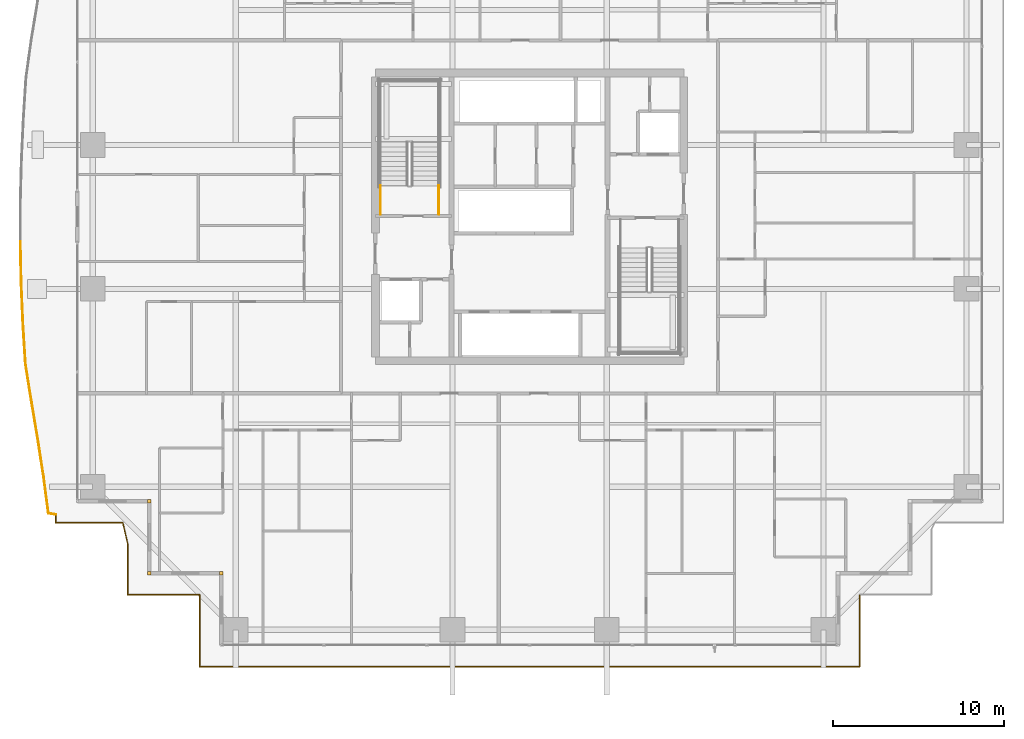
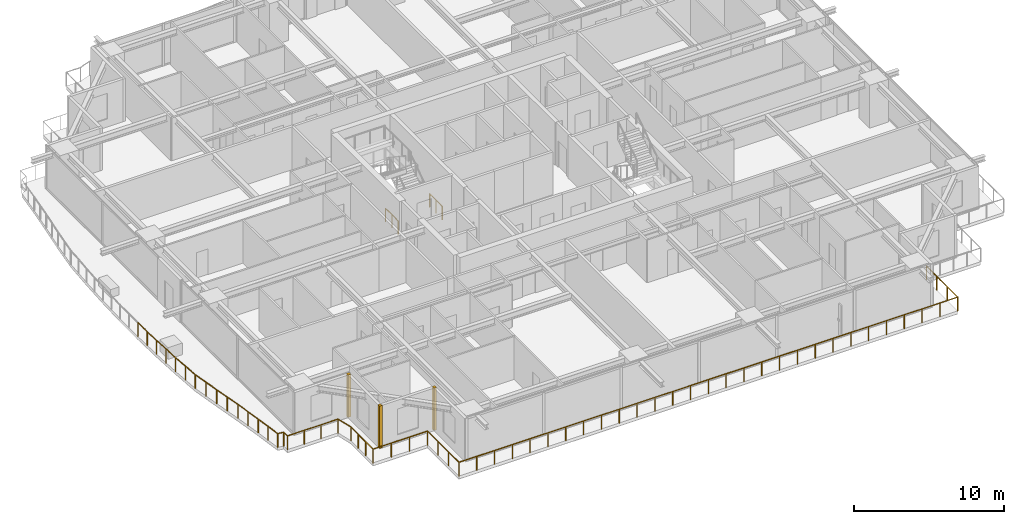
# One storey, part 31 of 36: 4 railings, 3 coverings.
"""IFC4 building model written with IfcOpenShell, lengths in metres."""

from ifc_helpers import new_model, si_unit, direction, frame, origin, origin_2d, place, context, subcontext, project, spatial, rectangle, circle, extrude, source, transform, mapped, material, layer, layer_set, type_object, element, save


model = new_model("IFC4")

# Units and contexts
model_context = context("Model", 3, precision=1e-05, world=origin(), true_north=direction((0.0, 1.0)))
body_context = subcontext(model_context, "Body", "Model", "MODEL_VIEW")
ifc_project = project(units=[si_unit("LENGTHUNIT", "METRE"), si_unit("AREAUNIT", "SQUARE_METRE"), si_unit("VOLUMEUNIT", "CUBIC_METRE"), si_unit("PLANEANGLEUNIT", "RADIAN"), si_unit("MASSUNIT", "GRAM", prefix="KILO")], contexts=[model_context])

# Site, building, storey
site_placement = place(None, origin())
site = spatial("IfcSite", under=ifc_project, at=site_placement, CompositionType="ELEMENT")
building_placement = place(site_placement, origin())
building = spatial("IfcBuilding", under=site, at=building_placement, Name="Serunith Strait Residences", CompositionType="ELEMENT")
storey_placement = place(building_placement, frame((0.0, 0.0, 41.699951171875)))
storey = spatial("IfcBuildingStorey", under=building, at=storey_placement, Name="L09", CompositionType="ELEMENT", Elevation=41.699951171875)

# Railings
ifc_material_1 = material(Name="Stainless Steel & Laminated Glass Balustrade", Category="steel")
railing_type_1 = type_object("IfcRailingType", Name="RLG-BALC-1150", PredefinedType="BALUSTRADE", material=ifc_material_1)
railing_1_placement = place(storey_placement, frame((4.739990234375, 7.829833984375, -0.050048828125)))
element("IfcRailing", 1, at=railing_1_placement, inside=storey, type_object=railing_type_1, Name="L09 Swirling Balcony Perimeter Balustrade 1", PredefinedType="BALUSTRADE", context=body_context, shape_type="SweptSolid", body=[
    extrude(circle(Radius=0.02392578125, at=origin_2d()), frame((-0.001953125, 0.000244140625, 1.1259765625), z_axis=(-0.987454908219, 0.15790124836, 0.0), x_axis=(-0.15790124836, -0.987454908219, 0.0)), (0.0, 0.0, 1.0), 0.4228515625),
    extrude(circle(Radius=0.02392578125, at=origin_2d()), frame((-0.421630859375, 0.0693359375, 1.1259765625), z_axis=(-0.130681049278, 0.991424461752, 0.0), x_axis=(-0.991424461752, -0.130681049278, 0.0)), (0.0, 0.0, 1.0), 2.142578125),
    extrude(circle(Radius=0.02392578125, at=origin_2d()), frame((-0.7021484375, 2.197509765625, 1.1259765625), z_axis=(-0.151686220138, 0.988428697793, 0.0), x_axis=(-0.988428697793, -0.151686220138, 0.0)), (0.0, 0.0, 1.0), 2.172119140625),
    extrude(circle(Radius=0.02392578125, at=origin_2d()), frame((-1.0322265625, 4.348388671875, 1.1259765625), z_axis=(-0.165414826674, 0.986224079566, 0.0), x_axis=(-0.986224079566, -0.165414826674, 0.0)), (0.0, 0.0, 1.0), 2.21728515625),
    extrude(circle(Radius=0.02392578125, at=origin_2d()), frame((-1.399658203125, 6.5390625, 1.1259765625), z_axis=(-0.15832031271, 0.987387805568, 0.0), x_axis=(-0.987387805568, -0.15832031271, 0.0)), (0.0, 0.0, 1.0), 2.276611328125),
    extrude(circle(Radius=0.02392578125, at=origin_2d()), frame((-1.7607421875, 8.791015625, 1.1259765625), z_axis=(-0.06215935841, 0.998066237362, 0.0), x_axis=(-0.998066237362, -0.06215935841, 0.0)), (0.0, 0.0, 1.0), 2.3564453125),
    extrude(circle(Radius=0.02392578125, at=origin_2d()), frame((-1.9072265625, 11.14697265625, 1.1259765625), z_axis=(-0.042847001993, 0.999081645523, 0.0), x_axis=(-0.999081645523, -0.042847001993, 0.0)), (0.0, 0.0, 1.0), 2.383544921875),
    extrude(circle(Radius=0.02392578125, at=origin_2d()), frame((-2.009521484375, 13.5322265625, 1.1259765625), z_axis=(-0.020403914663, 0.999791818463, 0.0), x_axis=(-0.999791818463, -0.020403914663, 0.0)), (0.0, 0.0, 1.0), 2.401123046875),
    extrude(circle(Radius=0.02099609375, at=origin_2d()), origin(), (0.0, 0.0, 1.0), 1.099853515625),
    extrude(circle(Radius=0.02099609375, at=origin_2d()), frame((-0.42138671875, 0.0673828125, 0.0)), (0.0, 0.0, 1.0), 1.099853515625),
    extrude(circle(Radius=0.02099609375, at=origin_2d()), frame((-0.5615234375, 1.13134765625, 0.0)), (0.0, 0.0, 1.0), 1.099853515625),
    extrude(circle(Radius=0.02099609375, at=origin_2d()), frame((-0.701904296875, 2.195556640625, 0.0)), (0.0, 0.0, 1.0), 1.099853515625),
    extrude(circle(Radius=0.02099609375, at=origin_2d()), frame((-0.866943359375, 3.27099609375, 0.0)), (0.0, 0.0, 1.0), 1.099853515625),
    extrude(circle(Radius=0.02099609375, at=origin_2d()), frame((-1.031982421875, 4.346435546875, 0.0)), (0.0, 0.0, 1.0), 1.099853515625),
    extrude(circle(Radius=0.02099609375, at=origin_2d()), frame((-1.2158203125, 5.44189453125, 0.0)), (0.0, 0.0, 1.0), 1.099853515625),
    extrude(circle(Radius=0.02099609375, at=origin_2d()), frame((-1.3994140625, 6.537109375, 0.0)), (0.0, 0.0, 1.0), 1.099853515625),
    extrude(circle(Radius=0.02099609375, at=origin_2d()), frame((-1.580078125, 7.6630859375, 0.0)), (0.0, 0.0, 1.0), 1.099853515625),
    extrude(circle(Radius=0.02099609375, at=origin_2d()), frame((-1.760498046875, 8.7890625, 0.0)), (0.0, 0.0, 1.0), 1.099853515625),
    extrude(circle(Radius=0.02099609375, at=origin_2d()), frame((-1.833984375, 9.967041015625, 0.0)), (0.0, 0.0, 1.0), 1.099853515625),
    extrude(circle(Radius=0.02099609375, at=origin_2d()), frame((-1.9072265625, 11.14501953125, 0.0)), (0.0, 0.0, 1.0), 1.099853515625),
    extrude(circle(Radius=0.02099609375, at=origin_2d()), frame((-1.95849609375, 12.337646484375, 0.0)), (0.0, 0.0, 1.0), 1.099853515625),
    extrude(circle(Radius=0.02099609375, at=origin_2d()), frame((-2.009521484375, 13.5302734375, 0.0)), (0.0, 0.0, 1.0), 1.099853515625),
    extrude(circle(Radius=0.02099609375, at=origin_2d()), frame((-2.0341796875, 14.732421875, 0.0)), (0.0, 0.0, 1.0), 1.099853515625),
    extrude(circle(Radius=0.02099609375, at=origin_2d()), frame((-2.05859375, 15.934814453125, 0.0)), (0.0, 0.0, 1.0), 1.099853515625),
])
railing_2_placement = place(storey_placement, frame((51.659912109375, 3.139892578125, -0.050048828125)))
element("IfcRailing", 2, at=railing_2_placement, inside=storey, type_object=railing_type_1, Name="L09 Swirling Balcony Perimeter Balustrade 8", PredefinedType="BALUSTRADE", context=body_context, shape_type="SweptSolid", body=[
    extrude(circle(Radius=0.02392578125, at=origin_2d()), frame((0.0, -0.001953125, 1.1259765625), z_axis=(0.0, -1.0, 0.0), x_axis=(1.0, 0.0, 0.0)), (0.0, 0.0, 1.0), 4.196044921875),
    extrude(circle(Radius=0.02392578125, at=origin_2d()), frame((-0.001953125, -4.199951171875, 1.1259765625), z_axis=(-1.0, 0.0, 0.0), x_axis=(0.0, -1.0, 0.0)), (0.0, 0.0, 1.0), 38.51611328125),
    extrude(circle(Radius=0.02392578125, at=origin_2d()), frame((-38.52001953125, -4.197998046875, 1.1259765625), z_axis=(0.0, 1.0, 0.0), x_axis=(-1.0, 0.0, 0.0)), (0.0, 0.0, 1.0), 4.196044921875),
    extrude(circle(Radius=0.02392578125, at=origin_2d()), frame((-38.52197265625, 0.0, 1.1259765625), z_axis=(-1.0, 0.0, 0.0), x_axis=(0.0, -1.0, 0.0)), (0.0, 0.0, 1.0), 4.196044921875),
    extrude(circle(Radius=0.02392578125, at=origin_2d()), frame((-42.719970703125, 0.001953125, 1.1259765625), z_axis=(0.0, 1.0, 0.0), x_axis=(-1.0, 0.0, 0.0)), (0.0, 0.0, 1.0), 2.973388671875),
    extrude(circle(Radius=0.02392578125, at=origin_2d()), frame((-42.720458984375, 2.979248046875, 1.1259765625), z_axis=(-0.225243046308, 0.974302607043, 0.0), x_axis=(-0.974302607043, -0.225243046308, 0.0)), (0.0, 0.0, 1.0), 1.251220703125),
    extrude(circle(Radius=0.02392578125, at=origin_2d()), frame((-43.004638671875, 4.2001953125, 1.1259765625), z_axis=(-1.0, 0.0, 0.0), x_axis=(0.0, -1.0, 0.0)), (0.0, 0.0, 1.0), 3.913330078125),
    extrude(circle(Radius=0.02392578125, at=origin_2d()), frame((-46.919921875, 4.2021484375, 1.1259765625), z_axis=(0.0, 1.0, 0.0), x_axis=(-1.0, 0.0, 0.0)), (0.0, 0.0, 1.0), 0.48583984375),
    extrude(circle(Radius=0.02099609375, at=origin_2d()), origin(), (0.0, 0.0, 1.0), 1.099853515625),
    extrude(circle(Radius=0.02099609375, at=origin_2d()), frame((0.0, -1.39990234375, 0.0)), (0.0, 0.0, 1.0), 1.099853515625),
    extrude(circle(Radius=0.02099609375, at=origin_2d()), frame((0.0, -2.800048828125, 0.0)), (0.0, 0.0, 1.0), 1.099853515625),
    extrude(circle(Radius=0.02099609375, at=origin_2d()), frame((0.0, -4.199951171875, 0.0)), (0.0, 0.0, 1.0), 1.099853515625),
    extrude(circle(Radius=0.02099609375, at=origin_2d()), frame((-1.375732421875, -4.199951171875, 0.0)), (0.0, 0.0, 1.0), 1.099853515625),
    extrude(circle(Radius=0.02099609375, at=origin_2d()), frame((-2.75146484375, -4.199951171875, 0.0)), (0.0, 0.0, 1.0), 1.099853515625),
    extrude(circle(Radius=0.02099609375, at=origin_2d()), frame((-4.127197265625, -4.199951171875, 0.0)), (0.0, 0.0, 1.0), 1.099853515625),
    extrude(circle(Radius=0.02099609375, at=origin_2d()), frame((-5.5029296875, -4.199951171875, 0.0)), (0.0, 0.0, 1.0), 1.099853515625),
    extrude(circle(Radius=0.02099609375, at=origin_2d()), frame((-6.878662109375, -4.199951171875, 0.0)), (0.0, 0.0, 1.0), 1.099853515625),
    extrude(circle(Radius=0.02099609375, at=origin_2d()), frame((-8.25439453125, -4.199951171875, 0.0)), (0.0, 0.0, 1.0), 1.099853515625),
    extrude(circle(Radius=0.02099609375, at=origin_2d()), frame((-9.6298828125, -4.199951171875, 0.0)), (0.0, 0.0, 1.0), 1.099853515625),
    extrude(circle(Radius=0.02099609375, at=origin_2d()), frame((-11.005615234375, -4.199951171875, 0.0)), (0.0, 0.0, 1.0), 1.099853515625),
    extrude(circle(Radius=0.02099609375, at=origin_2d()), frame((-12.38134765625, -4.199951171875, 0.0)), (0.0, 0.0, 1.0), 1.099853515625),
    extrude(circle(Radius=0.02099609375, at=origin_2d()), frame((-13.757080078125, -4.199951171875, 0.0)), (0.0, 0.0, 1.0), 1.099853515625),
    extrude(circle(Radius=0.02099609375, at=origin_2d()), frame((-15.1328125, -4.199951171875, 0.0)), (0.0, 0.0, 1.0), 1.099853515625),
    extrude(circle(Radius=0.02099609375, at=origin_2d()), frame((-16.508544921875, -4.199951171875, 0.0)), (0.0, 0.0, 1.0), 1.099853515625),
    extrude(circle(Radius=0.02099609375, at=origin_2d()), frame((-17.88427734375, -4.199951171875, 0.0)), (0.0, 0.0, 1.0), 1.099853515625),
    extrude(circle(Radius=0.02099609375, at=origin_2d()), frame((-19.260009765625, -4.199951171875, 0.0)), (0.0, 0.0, 1.0), 1.099853515625),
    extrude(circle(Radius=0.02099609375, at=origin_2d()), frame((-20.6357421875, -4.199951171875, 0.0)), (0.0, 0.0, 1.0), 1.099853515625),
    extrude(circle(Radius=0.02099609375, at=origin_2d()), frame((-22.011474609375, -4.199951171875, 0.0)), (0.0, 0.0, 1.0), 1.099853515625),
    extrude(circle(Radius=0.02099609375, at=origin_2d()), frame((-23.38720703125, -4.199951171875, 0.0)), (0.0, 0.0, 1.0), 1.099853515625),
    extrude(circle(Radius=0.02099609375, at=origin_2d()), frame((-24.762939453125, -4.199951171875, 0.0)), (0.0, 0.0, 1.0), 1.099853515625),
    extrude(circle(Radius=0.02099609375, at=origin_2d()), frame((-26.138671875, -4.199951171875, 0.0)), (0.0, 0.0, 1.0), 1.099853515625),
    extrude(circle(Radius=0.02099609375, at=origin_2d()), frame((-27.514404296875, -4.199951171875, 0.0)), (0.0, 0.0, 1.0), 1.099853515625),
    extrude(circle(Radius=0.02099609375, at=origin_2d()), frame((-28.89013671875, -4.199951171875, 0.0)), (0.0, 0.0, 1.0), 1.099853515625),
    extrude(circle(Radius=0.02099609375, at=origin_2d()), frame((-30.265625, -4.199951171875, 0.0)), (0.0, 0.0, 1.0), 1.099853515625),
    extrude(circle(Radius=0.02099609375, at=origin_2d()), frame((-31.641357421875, -4.199951171875, 0.0)), (0.0, 0.0, 1.0), 1.099853515625),
    extrude(circle(Radius=0.02099609375, at=origin_2d()), frame((-33.01708984375, -4.199951171875, 0.0)), (0.0, 0.0, 1.0), 1.099853515625),
    extrude(circle(Radius=0.02099609375, at=origin_2d()), frame((-34.392822265625, -4.199951171875, 0.0)), (0.0, 0.0, 1.0), 1.099853515625),
    extrude(circle(Radius=0.02099609375, at=origin_2d()), frame((-35.7685546875, -4.199951171875, 0.0)), (0.0, 0.0, 1.0), 1.099853515625),
    extrude(circle(Radius=0.02099609375, at=origin_2d()), frame((-37.144287109375, -4.199951171875, 0.0)), (0.0, 0.0, 1.0), 1.099853515625),
    extrude(circle(Radius=0.02099609375, at=origin_2d()), frame((-38.52001953125, -4.199951171875, 0.0)), (0.0, 0.0, 1.0), 1.099853515625),
    extrude(circle(Radius=0.02099609375, at=origin_2d()), frame((-38.52001953125, -2.800048828125, 0.0)), (0.0, 0.0, 1.0), 1.099853515625),
    extrude(circle(Radius=0.02099609375, at=origin_2d()), frame((-38.52001953125, -1.39990234375, 0.0)), (0.0, 0.0, 1.0), 1.099853515625),
    extrude(circle(Radius=0.02099609375, at=origin_2d()), frame((-38.52001953125, 0.0, 0.0)), (0.0, 0.0, 1.0), 1.099853515625),
    extrude(circle(Radius=0.02099609375, at=origin_2d()), frame((-39.919921875, 0.0, 0.0)), (0.0, 0.0, 1.0), 1.099853515625),
    extrude(circle(Radius=0.02099609375, at=origin_2d()), frame((-41.320068359375, 0.0, 0.0)), (0.0, 0.0, 1.0), 1.099853515625),
    extrude(circle(Radius=0.02099609375, at=origin_2d()), frame((-42.719970703125, 0.0, 0.0)), (0.0, 0.0, 1.0), 1.099853515625),
    extrude(circle(Radius=0.02099609375, at=origin_2d()), frame((-42.719970703125, 0.992431640625, 0.0)), (0.0, 0.0, 1.0), 1.099853515625),
    extrude(circle(Radius=0.02099609375, at=origin_2d()), frame((-42.719970703125, 1.98486328125, 0.0)), (0.0, 0.0, 1.0), 1.099853515625),
    extrude(circle(Radius=0.02099609375, at=origin_2d()), frame((-42.719970703125, 2.977294921875, 0.0)), (0.0, 0.0, 1.0), 1.099853515625),
    extrude(circle(Radius=0.02099609375, at=origin_2d()), frame((-43.002685546875, 4.2001953125, 0.0)), (0.0, 0.0, 1.0), 1.099853515625),
    extrude(circle(Radius=0.02099609375, at=origin_2d()), frame((-44.308349609375, 4.2001953125, 0.0)), (0.0, 0.0, 1.0), 1.099853515625),
    extrude(circle(Radius=0.02099609375, at=origin_2d()), frame((-45.6142578125, 4.2001953125, 0.0)), (0.0, 0.0, 1.0), 1.099853515625),
    extrude(circle(Radius=0.02099609375, at=origin_2d()), frame((-46.919921875, 4.2001953125, 0.0)), (0.0, 0.0, 1.0), 1.099853515625),
    extrude(circle(Radius=0.02099609375, at=origin_2d()), frame((-46.919921875, 4.68994140625, 0.0)), (0.0, 0.0, 1.0), 1.099853515625),
])
ifc_material_2 = material(Name="Brushed stainless steel 316L", Category="steel")
railing_type_2 = type_object("IfcRailingType", Name="RLG-STAIR-GUARD", PredefinedType="BALUSTRADE", material=ifc_material_2)
for number, where, name in (
    (3, (27.10009765625, 25.35009765625, 0.0), "L09 ST-1 stair guard 8"),
    (4, (23.699951171875, 25.35009765625, 0.0), "L09 ST-1 stair guard 9"),
):
    element("IfcRailing", number, at=place(storey_placement, frame(where)), inside=storey, type_object=railing_type_2, Name=name, PredefinedType="BALUSTRADE", context=body_context, shape_type="SweptSolid", body=[
        extrude(circle(Radius=0.02392578125, at=origin_2d()), frame((0.0, 0.001953125, 1.076171875), z_axis=(0.0, 1.0, 0.0), x_axis=(-1.0, 0.0, 0.0)), (0.0, 0.0, 1.0), 1.676025390625),
        extrude(circle(Radius=0.02099609375, at=origin_2d()), origin(), (0.0, 0.0, 1.0), 1.050048828125),
        extrude(circle(Radius=0.02099609375, at=origin_2d()), frame((0.0, 0.83984375, 0.0)), (0.0, 0.0, 1.0), 1.050048828125),
        extrude(circle(Radius=0.02099609375, at=origin_2d()), frame((0.0, 1.679931640625, 0.0)), (0.0, 0.0, 1.0), 1.050048828125),
    ])

# Coverings
ifc_material_3 = material(Name="Pale-Champagne Anodised Aluminium", Category="aluminium")
ifc_layer = layer(ifc_material_3, 0.219970703125, Name="Pale-Champagne Anodised Aluminium")
ifc_layer_set = layer_set([ifc_layer], Name="Pale-Champagne Anodised Aluminium")
covering_type = type_object("IfcCoveringType", Name="COV-CORN-TRIM", PredefinedType="CLADDING", material=ifc_layer_set)
shared_shape = source(origin(), body_context, "Body", "SweptSolid", [
    extrude(rectangle(XDim=0.221923828125, YDim=0.221923828125, at=origin_2d()), origin(), (0.0, 0.0, 1.0), 3.47509765625),
])
for number, where, z_axis, x_axis, name in (
    (5, (10.199951171875, 8.60009765625, 0.0), (0.0, 0.0, 1.0), (1.0, 0.0, 0.0), "L09 Girih Serrated Corner Trim Post 17"),
    (6, (10.199951171875, 4.39990234375, 0.0), (0.0, 0.0, 1.0), (1.0, 0.0, 0.0), "L09 Girih Serrated Corner Trim Post 18"),
    (7, (14.39990234375, 4.39990234375, 0.0), (0.0, 0.0, 1.0), (1.0, 0.0, 0.0), "L09 Girih Serrated Corner Trim Post 19"),
):
    element("IfcCovering", number, at=place(storey_placement, frame(where, z_axis=z_axis, x_axis=x_axis)), inside=storey, type_object=covering_type, Name=name, PredefinedType="CLADDING", context=body_context, shape_type="MappedRepresentation", body=[
        mapped(shared_shape, transform((0.0, 0.0, 0.0), scale=1.0)),
    ])

save(model, "model.ifc")
